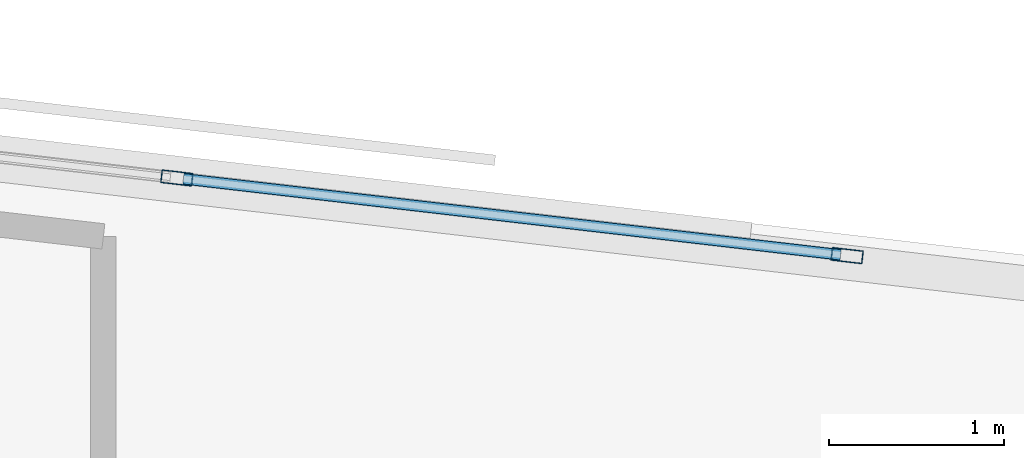
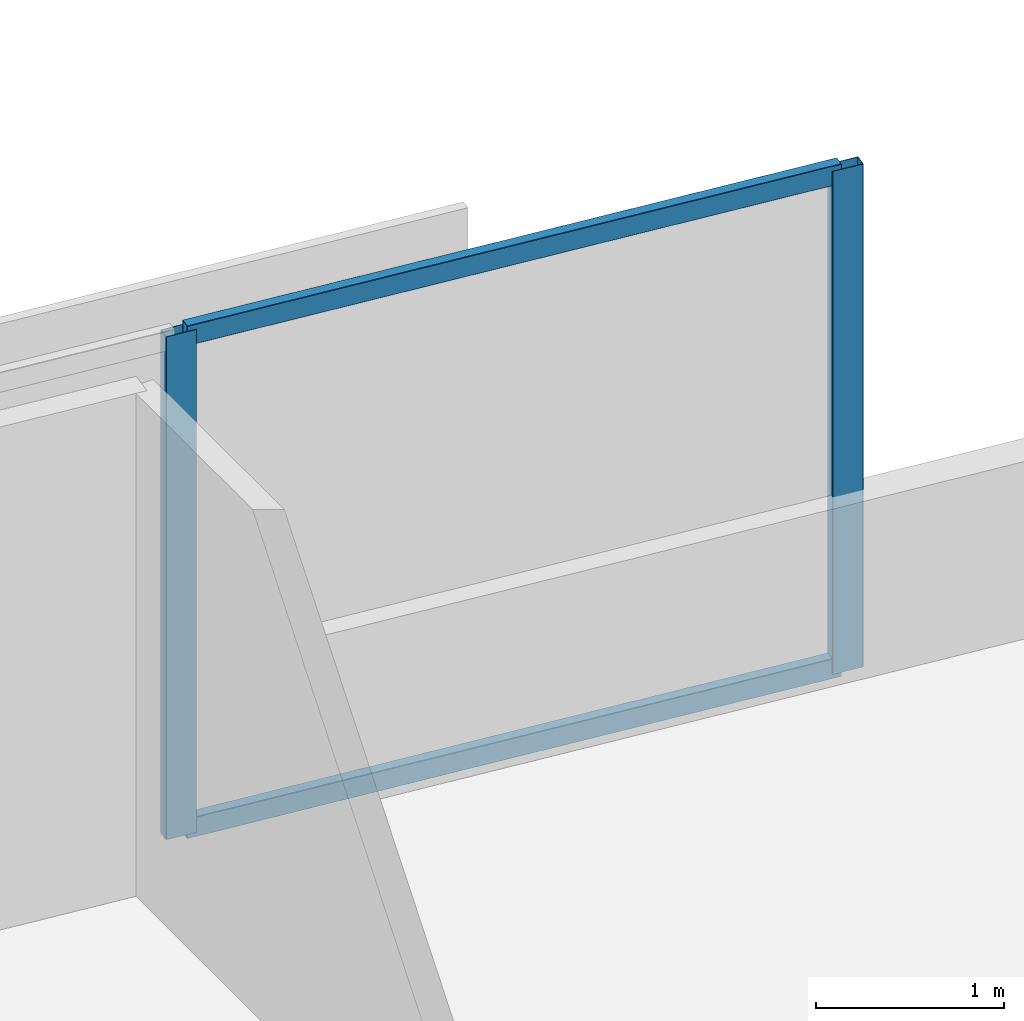
# One storey, part 2 of 13: 4 members, 1 element without a shape of its own.
"""IFC4 building model written with IfcOpenShell, lengths in metres."""

import ifcopenshell
import ifcopenshell.guid

model = None  # the IFC model being written
_history = None  # IfcOwnerHistory: only IFC2X3 demands one
_inside = {}  # id of a spatial element -> (the spatial element, [elements in it])
_under = {}  # id of a project, library or spatial element -> (it, [spatial elements below it])
_declared = {}  # id of a project -> (the project, [libraries it declares])
_typed = {}  # id of a type object -> (the type object, [elements of that type])
_made_of = {}  # id of a material, layer set ... -> (it, [elements and type objects made of it])


def new_model(schema):
    """Start an empty IFC model of exactly this schema.

    Asked for "IFC4X3", IfcOpenShell would pick the latest addendum, in which some entities
    have other attributes; the version numbers below select the first issue.
    IFC2X3 requires an IfcOwnerHistory on every rooted entity: one is made here for all.
    """
    global model, _history
    if schema == "IFC4X3":
        model = ifcopenshell.file(schema_version=(4, 3, 0, 0))
    else:
        model = ifcopenshell.file(schema=schema)
    _inside.clear()
    _under.clear()
    _declared.clear()
    _typed.clear()
    _made_of.clear()
    _history = None
    if model.schema == "IFC2X3":
        org = make("IfcOrganization", Name="unknown")
        user = make(
            "IfcPersonAndOrganization",
            ThePerson=make("IfcPerson", FamilyName="unknown"),
            TheOrganization=org,
        )
        app = make(
            "IfcApplication",
            ApplicationDeveloper=org,
            Version="unknown",
            ApplicationFullName="unknown",
            ApplicationIdentifier="unknown",
        )
        _history = make(
            "IfcOwnerHistory",
            OwningUser=user,
            OwningApplication=app,
            ChangeAction="ADDED",
            CreationDate=0,
        )
    return model


def make(cls, **values):
    """One entity of the class cls with the attributes given. An attribute that is None is left unset."""
    return model.create_entity(
        cls, **{name: value for name, value in values.items() if value is not None}
    )


def rooted(cls, **values):
    """An entity with a GlobalId (a new one), such as an element, a storey or a relation."""
    return make(cls, GlobalId=ifcopenshell.guid.new(), OwnerHistory=_history, **values)


def si_unit(unit_type, name, prefix=None):
    """IfcSIUnit, for example si_unit("LENGTHUNIT", "METRE", prefix="MILLI")."""
    return make("IfcSIUnit", UnitType=unit_type, Prefix=prefix, Name=name)


def assignment(units):
    """IfcUnitAssignment: the units of a project."""
    return None if units is None else make("IfcUnitAssignment", Units=units)


def point(xyz):
    """IfcCartesianPoint."""
    return None if xyz is None else make("IfcCartesianPoint", Coordinates=xyz)


def direction(xyz):
    """IfcDirection."""
    return None if xyz is None else make("IfcDirection", DirectionRatios=xyz)


def frame(location, z_axis=None, x_axis=None):
    """IfcAxis2Placement3D, a coordinate frame: its origin and axes. An axis left out is left unset."""
    return make(
        "IfcAxis2Placement3D",
        Location=point(location),
        Axis=direction(z_axis),
        RefDirection=direction(x_axis),
    )


def frame_2d(location, x_axis=None):
    """IfcAxis2Placement2D, a coordinate frame in the plane: its origin and x axis."""
    return make(
        "IfcAxis2Placement2D", Location=point(location), RefDirection=direction(x_axis)
    )


def origin():
    """The frame at (0, 0, 0) with its axes left unset."""
    return frame((0.0, 0.0, 0.0))


def origin_2d():
    """The frame at (0, 0) in the plane with its x axis left unset."""
    return frame_2d((0.0, 0.0))


def place(relative_to, where):
    """IfcLocalPlacement: puts the frame where relative to a parent placement (None: the world)."""
    return make(
        "IfcLocalPlacement", PlacementRelTo=relative_to, RelativePlacement=where
    )


def context(
    kind, dimensions, precision=None, world=None, true_north=None, identifier=None
):
    """IfcGeometricRepresentationContext, for example the 3D "Model" context."""
    return make(
        "IfcGeometricRepresentationContext",
        ContextIdentifier=identifier,
        ContextType=kind,
        CoordinateSpaceDimension=dimensions,
        Precision=precision,
        WorldCoordinateSystem=world,
        TrueNorth=true_north,
    )


def subcontext(parent, identifier, kind, view, scale=None):
    """IfcGeometricRepresentationSubContext, for example "Body" below "Model"."""
    return make(
        "IfcGeometricRepresentationSubContext",
        ContextIdentifier=identifier,
        ContextType=kind,
        ParentContext=parent,
        TargetScale=scale,
        TargetView=view,
    )


def project(units=None, contexts=None):
    """IfcProject with its units and contexts."""
    return rooted(
        "IfcProject",
        Name="project",
        RepresentationContexts=contexts,
        UnitsInContext=assignment(units),
    )


def spatial(cls, under=None, at=None, **own):
    """A site, building, storey or space (cls), placed at a placement, below another one or the project."""
    s = rooted(cls, ObjectPlacement=at, **own)
    if under is not None:
        _under.setdefault(under.id(), (under, []))[1].append(s)
    return s


def profile(cls, at=None, kind="AREA", **sizes):
    """A parametric profile (cls). Its sizes go by their IFC names, for example OverallWidth=200.0."""
    return make(cls, ProfileType=kind, Position=at, **sizes)


def hollow_rectangle(**sizes):
    """IfcRectangleHollowProfileDef."""
    return profile("IfcRectangleHollowProfileDef", **sizes)


def extrude(swept, where, along, depth):
    """IfcExtrudedAreaSolid: the profile swept, set in the frame where, extruded along a direction by depth."""
    return make(
        "IfcExtrudedAreaSolid",
        SweptArea=swept,
        Position=where,
        ExtrudedDirection=direction(along),
        Depth=depth,
    )


def shape(context_of_items, identifier, shape_type, items):
    """IfcShapeRepresentation: the items that make up one representation, for example the "Body"."""
    return make(
        "IfcShapeRepresentation",
        ContextOfItems=context_of_items,
        RepresentationIdentifier=identifier,
        RepresentationType=shape_type,
        Items=items,
    )


def material(Name=None, Category=None):
    """IfcMaterial."""
    return make("IfcMaterial", Name=Name, Category=Category)


def material_profile(
    of_material, cross_section, Name=None, Category=None, Priority=None
):
    """IfcMaterialProfile: a cross section and its material."""
    return make(
        "IfcMaterialProfile",
        Name=Name,
        Material=of_material,
        Profile=cross_section,
        Priority=Priority,
        Category=Category,
    )


def profile_set(profiles, Name=None, composite=None):
    """IfcMaterialProfileSet."""
    return make(
        "IfcMaterialProfileSet",
        Name=Name,
        MaterialProfiles=profiles,
        CompositeProfile=composite,
    )


def made_of(thing, what):
    """Note that an element or type object is made of a material, layer set ...; save() writes the relation."""
    if what is not None:
        _made_of.setdefault(what.id(), (what, []))[1].append(thing)
    return thing


def type_object(cls, material=None, **own):
    """A type object (cls), such as IfcWallType, which elements share."""
    return made_of(rooted(cls, **own), material)


def element(
    cls,
    number,
    at=None,
    inside=None,
    cuts=None,
    type_object=None,
    material=None,
    context=None,
    identifier="Body",
    shape_type=None,
    held_by="IfcProductDefinitionShape",
    body=None,
    shapes=None,
    **own,
):
    """One element of the class cls, such as IfcWall. Its Tag is "e" and its number.

    at: its placement. inside: the storey or other place that contains it. cuts: it is an
    opening in that element (IfcRelVoidsElement). A single representation is given by context,
    identifier, shape_type and body (its items); several are given by shapes. held_by: the class
    of the entity that holds the representations. save() writes the other relations.
    """
    e = rooted(cls, Tag="e%d" % number, ObjectPlacement=at, **own)
    if body is not None:
        shapes = [shape(context, identifier, shape_type, body)]
    if shapes is not None:
        e.Representation = make(held_by, Representations=shapes)
    if inside is not None:
        _inside.setdefault(inside.id(), (inside, []))[1].append(e)
    if cuts is not None:
        rooted(
            "IfcRelVoidsElement", RelatingBuildingElement=cuts, RelatedOpeningElement=e
        )
    if type_object is not None:
        _typed.setdefault(type_object.id(), (type_object, []))[1].append(e)
    return made_of(e, material)


def aggregate(whole, parts):
    """IfcRelAggregates: a whole, such as a stair, and the parts it consists of."""
    return rooted("IfcRelAggregates", RelatingObject=whole, RelatedObjects=parts)


def save(model, path):
    """Write the relations noted so far, then the file.

    IfcRelAggregates (storeys below a building ...), IfcRelContainedInSpatialStructure (elements
    in a storey), IfcRelDefinesByType, IfcRelAssociatesMaterial and IfcRelDeclares: one each for
    every whole, place, type object, material and project.
    """
    for whole, parts in _under.values():
        aggregate(whole, parts)
    for where, things in _inside.values():
        rooted(
            "IfcRelContainedInSpatialStructure",
            RelatedElements=things,
            RelatingStructure=where,
        )
    for kind, things in _typed.values():
        rooted("IfcRelDefinesByType", RelatedObjects=things, RelatingType=kind)
    for what, things in _made_of.values():
        rooted("IfcRelAssociatesMaterial", RelatedObjects=things, RelatingMaterial=what)
    for by, libraries in _declared.values():
        rooted("IfcRelDeclares", RelatingContext=by, RelatedDefinitions=libraries)
    model.write(path)


model = new_model("IFC4")

# Units and contexts
model_context = context("Model", 3, precision=1e-05, world=origin(), true_north=direction((0.0, 1.0)))
body_context = subcontext(model_context, "Body", "Model", "MODEL_VIEW")
ifc_project = project(units=[si_unit("LENGTHUNIT", "METRE"), si_unit("AREAUNIT", "SQUARE_METRE"), si_unit("VOLUMEUNIT", "CUBIC_METRE"), si_unit("PLANEANGLEUNIT", "RADIAN"), si_unit("MASSUNIT", "GRAM", prefix="KILO")], contexts=[model_context])

# Site, building, storey
site_placement = place(None, origin())
site = spatial("IfcSite", under=ifc_project, at=site_placement, CompositionType="ELEMENT")
building_placement = place(site_placement, origin())
building = spatial("IfcBuilding", under=site, at=building_placement, Name="Narakoshi Arena Tower", CompositionType="ELEMENT")
storey_placement = place(building_placement, frame((0.0, 0.0, 200.89990234375)))
storey = spatial("IfcBuildingStorey", under=building, at=storey_placement, Name="L54", CompositionType="ELEMENT", Elevation=200.89990234375)

# Curtain wall, members
ifc_material = material(Name="Anodised bronze aluminium 6063-T6", Category="aluminium")
curtain_wall_type = type_object("IfcCurtainWallType", Name="CW-HYP-MID", PredefinedType="NOTDEFINED", material=ifc_material)
curtain_wall_placement = place(storey_placement, origin())
curtain_wall = element("IfcCurtainWall", 1, at=curtain_wall_placement, inside=storey, type_object=curtain_wall_type, Name="L54 Folded Hypotenuse Curtain Wall 2-1", PredefinedType="NOTDEFINED")
ifc_material_profile_1 = material_profile(ifc_material, hollow_rectangle(XDim=0.074951171875, YDim=0.179931640625, WallThickness=0.00390625, OuterFilletRadius=0.0048828125, at=origin_2d()), Name="MUL180x75x4")
ifc_profile_set_1 = profile_set([ifc_material_profile_1], Name="Anodised bronze aluminium 6063-T6")
member_type_1 = type_object("IfcMemberType", Name="MEM-MUL-180", PredefinedType="MULLION", material=ifc_profile_set_1)
member_1_placement = place(storey_placement, frame((83.901611328125, 63.554931640625, 0.0), z_axis=(0.0, 0.0, 1.0), x_axis=(-0.115011296816, -0.993364183774, 0.0)))
member_1 = element("IfcMember", 2, at=member_1_placement, type_object=member_type_1, Name="CW-02 mullion 1", PredefinedType="MULLION", context=body_context, shape_type="SweptSolid", body=[
    extrude(hollow_rectangle(XDim=0.074951171875, YDim=0.179931640625, WallThickness=0.00390625, OuterFilletRadius=0.0048828125, at=origin_2d()), origin(), (0.0, 0.0, 1.0), 3.260009765625),
])
member_2_placement = place(storey_placement, frame((80.06982421875, 63.99853515625, 0.0), z_axis=(0.0, 0.0, 1.0), x_axis=(-0.115011296816, -0.993364183774, 0.0)))
member_2 = element("IfcMember", 3, at=member_2_placement, type_object=member_type_1, Name="CW-02 mullion 2", PredefinedType="MULLION", context=body_context, shape_type="SweptSolid", body=[
    extrude(hollow_rectangle(XDim=0.074951171875, YDim=0.179931640625, WallThickness=0.00390625, OuterFilletRadius=0.0048828125, at=origin_2d()), origin(), (0.0, 0.0, 1.0), 3.260009765625),
])
ifc_material_profile_2 = material_profile(ifc_material, hollow_rectangle(XDim=0.06494140625, YDim=0.1298828125, WallThickness=0.00390625, OuterFilletRadius=0.0048828125, at=origin_2d()), Name="TRN130x65x4")
ifc_profile_set_2 = profile_set([ifc_material_profile_2], Name="Anodised bronze aluminium 6063-T6")
member_type_2 = type_object("IfcMemberType", Name="MEM-TRN-130", PredefinedType="USERDEFINED", material=ifc_profile_set_2)
member_3_placement = place(storey_placement, frame((83.864501953125, 63.55908203125, 0.03271484375), z_axis=(-0.993363915753, 0.115013611713, 0.0), x_axis=(-0.115013611713, -0.993363915753, 0.0)))
member_3 = element("IfcMember", 4, at=member_3_placement, type_object=member_type_2, Name="CW-02 transom 1.1", ObjectType="TRANSOM", PredefinedType="USERDEFINED", context=body_context, shape_type="SweptSolid", body=[
    extrude(hollow_rectangle(XDim=0.06494140625, YDim=0.1298828125, WallThickness=0.00390625, OuterFilletRadius=0.0048828125, at=origin_2d()), origin(), (0.0, 0.0, 1.0), 3.78271484375),
])
member_4_placement = place(storey_placement, frame((83.864501953125, 63.55908203125, 3.2275390625), z_axis=(-0.993363915753, 0.115013611713, 0.0), x_axis=(-0.115013611713, -0.993363915753, 0.0)))
member_4 = element("IfcMember", 5, at=member_4_placement, type_object=member_type_2, Name="CW-02 transom 1.2", ObjectType="TRANSOM", PredefinedType="USERDEFINED", context=body_context, shape_type="SweptSolid", body=[
    extrude(hollow_rectangle(XDim=0.06494140625, YDim=0.1298828125, WallThickness=0.00390625, OuterFilletRadius=0.0048828125, at=origin_2d()), origin(), (0.0, 0.0, 1.0), 3.78271484375),
])
aggregate(curtain_wall, [member_1, member_2, member_3, member_4])

save(model, "model.ifc")
